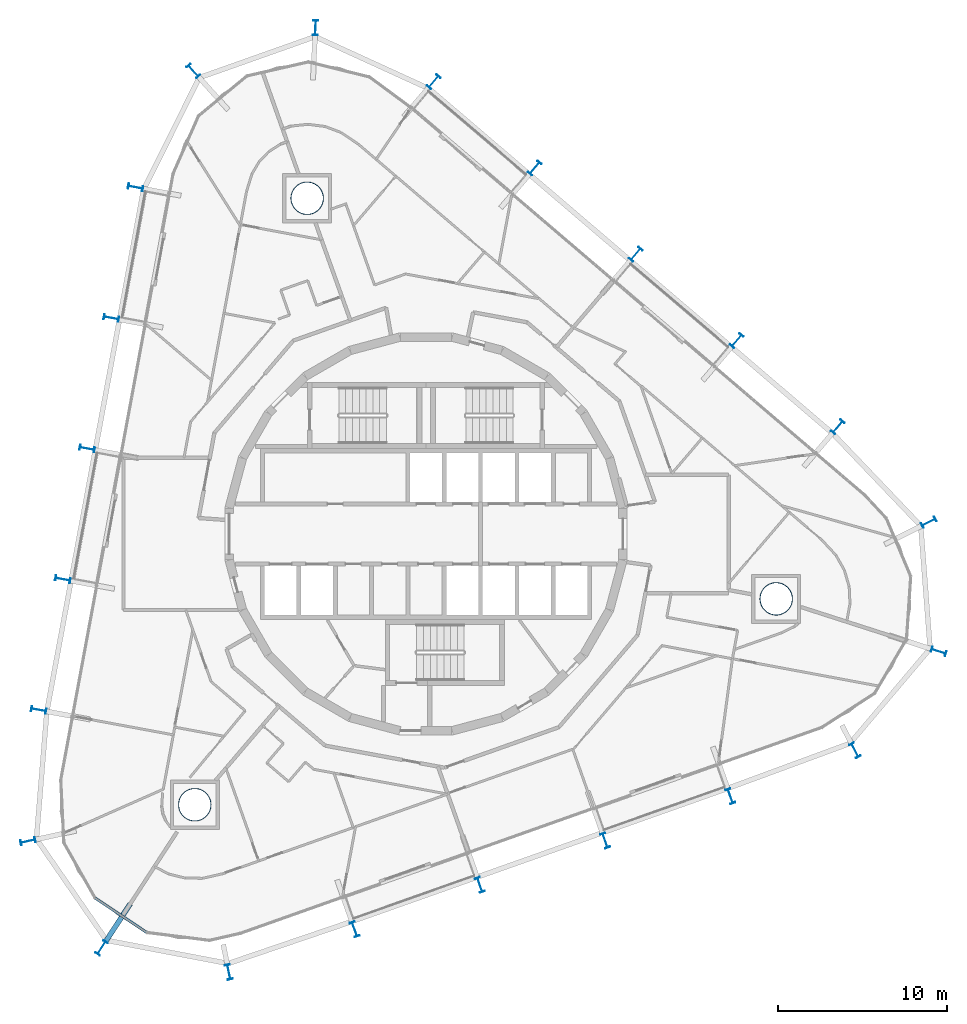
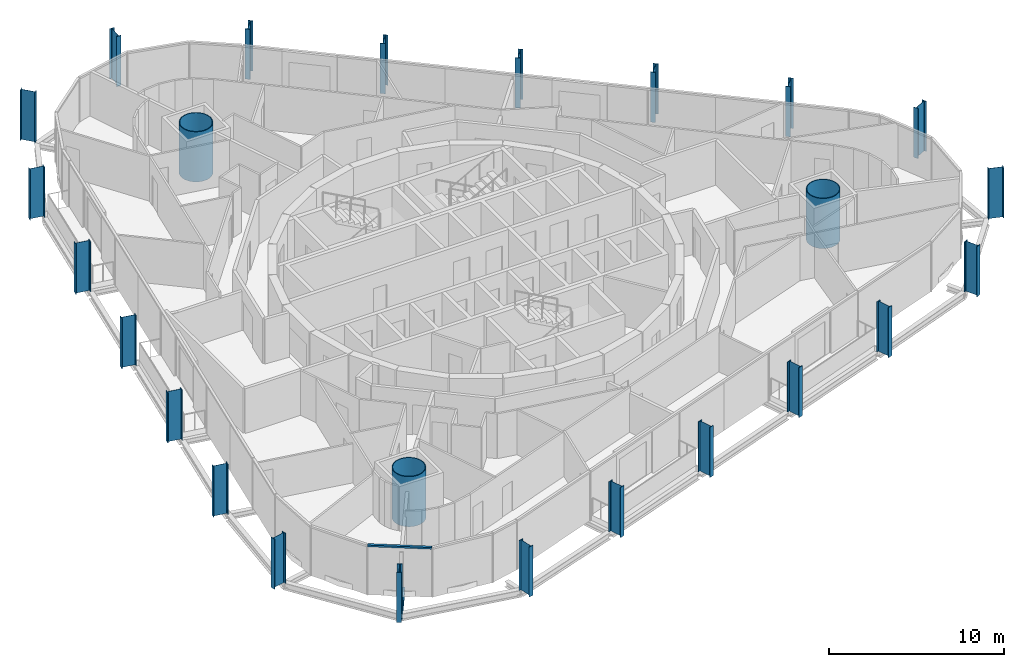
# One storey, part 1 of 17: 25 columns, 1 beam, 1 member, 1 element without a shape of its own.
"""IFC4 building model written with IfcOpenShell, lengths in metres."""

from ifc_helpers import new_model, si_unit, direction, frame, origin, origin_2d, place, context, subcontext, project, spatial, rectangle, hollow_circle, i_section, extrude, material, layer, layer_set, material_profile, profile_set, type_object, element, aggregate, save


model = new_model("IFC4")

# Units and contexts
model_context = context("Model", 3, precision=1e-05, world=origin(), true_north=direction((0.0, 1.0)))
body_context = subcontext(model_context, "Body", "Model", "MODEL_VIEW")
ifc_project = project(units=[si_unit("LENGTHUNIT", "METRE"), si_unit("AREAUNIT", "SQUARE_METRE"), si_unit("VOLUMEUNIT", "CUBIC_METRE"), si_unit("PLANEANGLEUNIT", "RADIAN"), si_unit("MASSUNIT", "GRAM", prefix="KILO")], contexts=[model_context])

# Site, building, storey
site_placement = place(None, origin())
site = spatial("IfcSite", under=ifc_project, at=site_placement, CompositionType="ELEMENT")
building_placement = place(site_placement, origin())
building = spatial("IfcBuilding", under=site, at=building_placement, Name="Spindle Arch Residences", CompositionType="ELEMENT")
storey_placement = place(building_placement, frame((0.0, 0.0, 158.699951171875)))
storey = spatial("IfcBuildingStorey", under=building, at=storey_placement, Name="L39", CompositionType="ELEMENT", Elevation=158.699951171875)

# Columns
ifc_material_1 = material(Name="Steel S460ML, intumescent coating R 240", Category="steel")
ifc_material_profile_1 = material_profile(ifc_material_1, i_section(OverallWidth=0.300048828125, OverallDepth=0.89990234375, WebThickness=0.0185546875, FlangeThickness=0.034912109375, FilletRadius=0.030029296875, at=origin_2d()), Name="HEB 900")
ifc_profile_set_1 = profile_set([ifc_material_profile_1], Name="Steel S460ML, intumescent coating R 240")
column_type_1 = type_object("IfcColumnType", Name="Exoskeleton post HEB 900", PredefinedType="COLUMN", material=ifc_profile_set_1)
for number, where, z_axis, x_axis, name in (
    (1, (10.592041015625, -18.1376953125, -0.3798828125), (0.0, 0.0, 1.0), (-0.942641392079, -0.333807138839, 0.0), "Exoskeleton post 1"),
    (2, (18.001220703125, -15.513916015625, -0.3798828125), (0.0, 0.0, 1.0), (-0.942641392079, -0.333807138839, 0.0), "Exoskeleton post 2"),
    (3, (25.37353515625, -12.79931640625, -0.3798828125), (0.0, 0.0, 1.0), (-0.887176487998, -0.461430253823, 0.0), "Exoskeleton post 3"),
    (4, (30.322509765625, -6.948486328125, -0.3798828125), (0.0, 0.0, 1.0), (-0.307880057726, -0.95142517838, 0.0), "Exoskeleton post 4"),
    (5, (29.739501953125, 0.6923828125, -0.3798828125), (0.0, 0.0, 1.0), (0.448657012727, -0.893704025352, 0.0), "Exoskeleton post 5"),
    (6, (24.357666015625, 6.330810546875, -0.3798828125), (0.0, 0.0, 1.0), (0.76040600398, -0.649448003393, 0.0), "Exoskeleton post 6"),
    (7, (18.380615234375, 11.435546875, -0.3798828125), (0.0, 0.0, 1.0), (0.76040600398, -0.649448003393, 0.0), "Exoskeleton post 7"),
    (8, (12.40380859375, 16.540283203125, -0.3798828125), (0.0, 0.0, 1.0), (0.76040600398, -0.649448003393, 0.0), "Exoskeleton post 8"),
    (9, (6.427001953125, 21.64501953125, -0.3798828125), (0.0, 0.0, 1.0), (0.76040600398, -0.649448003393, 0.0), "Exoskeleton post 9"),
    (10, (0.4501953125, 26.74951171875, -0.3798828125), (0.0, 0.0, 1.0), (0.76040600398, -0.649448003393, 0.0), "Exoskeleton post 10"),
    (11, (-6.53955078125, 29.945556640625, -0.3798828125), (0.0, 0.0, 1.0), (0.998810817099, -0.048753991075, 0.0), "Exoskeleton post 11"),
    (12, (-13.76318359375, 27.387451171875, -0.3798828125), (0.0, 0.0, 1.0), (0.745539941806, 0.666460947972, 0.0), "Exoskeleton post 12"),
    (13, (-17.183837890625, 20.505126953125, -0.3798828125), (0.0, 0.0, 1.0), (0.182235967681, 0.983254825609, 0.0), "Exoskeleton post 13"),
    (14, (-18.6162109375, 12.776611328125, -0.3798828125), (0.0, 0.0, 1.0), (0.182235967681, 0.983254825609, 0.0), "Exoskeleton post 14"),
    (15, (-20.048583984375, 5.048095703125, -0.3798828125), (0.0, 0.0, 1.0), (0.182235967681, 0.983254825609, 0.0), "Exoskeleton post 15"),
    (16, (-21.481201171875, -2.680419921875, -0.3798828125), (0.0, 0.0, 1.0), (0.182235967681, 0.983254825609, 0.0), "Exoskeleton post 16"),
    (17, (-22.91357421875, -10.40869140625, -0.3798828125), (0.0, 0.0, 1.0), (0.182235967681, 0.983254825609, 0.0), "Exoskeleton post 17"),
    (18, (-23.5478515625, -18.177490234375, -0.3798828125), (0.0, 0.0, 1.0), (-0.213754108667, 0.976887496607, 0.0), "Exoskeleton post 18"),
    (19, (-19.192138671875, -24.482666015625, -0.3798828125), (0.0, 0.0, 1.0), (-0.838019022948, 0.545641014933, 0.0), "Exoskeleton post 19"),
    (20, (-11.6640625, -25.9150390625, -0.3798828125), (0.0, 0.0, 1.0), (-0.979853205488, -0.199719041891, 0.0), "Exoskeleton post 20"),
    (21, (-4.226318359375, -23.385009765625, -0.3798828125), (0.0, 0.0, 1.0), (-0.942641392079, -0.333807138839, 0.0), "Exoskeleton post 21"),
    (22, (3.182861328125, -20.76123046875, -0.3798828125), (0.0, 0.0, 1.0), (-0.942641392079, -0.333807138839, 0.0), "Exoskeleton post 22"),
):
    element("IfcColumn", number, at=place(storey_placement, frame(where, z_axis=z_axis, x_axis=x_axis)), inside=storey, type_object=column_type_1, Name=name, PredefinedType="COLUMN", context=body_context, shape_type="SweptSolid", body=[
        extrude(i_section(OverallWidth=0.300048828125, OverallDepth=0.89990234375, WebThickness=0.0185546875, FlangeThickness=0.034912109375, FilletRadius=0.030029296875, at=origin_2d()), origin(), (0.0, 0.0, 1.0), 3.5),
    ])
ifc_material_2 = material(Name="Concrete C50/60 filled steel tube S460ML, intumescent coating R 240", Category="concrete")
ifc_material_profile_2 = material_profile(ifc_material_2, hollow_circle(Radius=0.97509765625, WallThickness=0.044921875, at=origin_2d()), Name="CFT D1950x45")
ifc_profile_set_2 = profile_set([ifc_material_profile_2], Name="Concrete C50/60 filled steel tube S460ML, intumescent coating R 240")
column_type_2 = type_object("IfcColumnType", Name="Mega-column CFT D1950x45", PredefinedType="COLUMN", material=ifc_profile_set_2)
for number, where, z_axis, x_axis, name in (
    (23, (20.713134765625, -3.839111328125, -0.3798828125), (0.0, 0.0, 1.0), (1.0, 0.0, 0.0), "Mega-column 1"),
    (24, (-7.031982421875, 19.857666015625, -0.3798828125), (0.0, 0.0, 1.0), (1.0, 0.0, 0.0), "Mega-column 2"),
    (25, (-13.68115234375, -16.0185546875, -0.3798828125), (0.0, 0.0, 1.0), (1.0, 0.0, 0.0), "Mega-column 3"),
):
    element("IfcColumn", number, at=place(storey_placement, frame(where, z_axis=z_axis, x_axis=x_axis)), inside=storey, type_object=column_type_2, Name=name, PredefinedType="COLUMN", context=body_context, shape_type="SweptSolid", body=[
        extrude(hollow_circle(Radius=0.97509765625, WallThickness=0.044921875, at=origin_2d()), origin(), (0.0, 0.0, 1.0), 3.5),
    ])

# Curtain wall, member
ifc_material_3 = material(Name="Aluminium bronze unitised frame with tinted glass", Category="aluminium")
ifc_layer = layer(ifc_material_3, 0.159912109375)
ifc_layer_set = layer_set([ifc_layer], Name="CW-D corner wall on the fillet arcs")
curtain_wall_type = type_object("IfcCurtainWallType", Name="CW-D corner wall on the fillet arcs", PredefinedType="NOTDEFINED", material=ifc_layer_set)
curtain_wall_placement = place(storey_placement, origin())
curtain_wall = element("IfcCurtainWall", 26, at=curtain_wall_placement, inside=storey, type_object=curtain_wall_type, Name="CW-D L39 run 5", PredefinedType="NOTDEFINED")
ifc_material_4 = material(Name="Aluminium bronze anodised transom", Category="aluminium")
ifc_material_profile_3 = material_profile(ifc_material_4, rectangle(XDim=0.159912109375, YDim=0.1201171875, at=origin_2d()), Name="TR 120x160")
ifc_profile_set_3 = profile_set([ifc_material_profile_3], Name="Aluminium bronze anodised transom")
member_type = type_object("IfcMemberType", Name="Bronze transom 120x160", PredefinedType="USERDEFINED", material=ifc_profile_set_3)
member_placement = place(storey_placement, frame((-19.58154296875, -21.528564453125, 3.06005859375), z_axis=(0.830623700005, -0.556834148549, 0.0), x_axis=(0.556834148549, 0.830623700005, 0.0)))
member = element("IfcMember", 27, at=member_placement, type_object=member_type, Name="CW-D transom 03", ObjectType="TRANSOM", PredefinedType="USERDEFINED", context=body_context, shape_type="SweptSolid", body=[
    extrude(rectangle(XDim=0.159912109375, YDim=0.1201171875, at=origin_2d()), origin(), (0.0, 0.0, 1.0), 3.666748046875),
])
aggregate(curtain_wall, [member])

# Beam
ifc_material_5 = material(Name="Steel S460ML, intumescent coating R 120", Category="steel")
ifc_material_profile_4 = material_profile(ifc_material_5, i_section(OverallWidth=0.300048828125, OverallDepth=0.389892578125, WebThickness=0.010986328125, FlangeThickness=0.01904296875, FilletRadius=0.027099609375, at=origin_2d()), Name="HEA 400")
ifc_profile_set_4 = profile_set([ifc_material_profile_4], Name="Steel S460ML, intumescent coating R 120")
beam_type = type_object("IfcBeamType", Name="Floor outrigger HEA 400", PredefinedType="BEAM", material=ifc_profile_set_4)
beam_placement = place(storey_placement, frame((-18.94677734375, -24.10546875, -0.574951171875), z_axis=(0.545674675997, 0.837997104992, 0.0), x_axis=(-0.837997104992, 0.545674675997, 0.0)))
element("IfcBeam", 28, at=beam_placement, inside=storey, type_object=beam_type, Name="Floor outrigger 19", PredefinedType="BEAM", context=body_context, shape_type="SweptSolid", body=[
    extrude(i_section(OverallWidth=0.300048828125, OverallDepth=0.389892578125, WebThickness=0.010986328125, FlangeThickness=0.01904296875, FilletRadius=0.027099609375, at=origin_2d()), origin(), (0.0, 0.0, 1.0), 2.64990234375),
])

save(model, "model.ifc")
